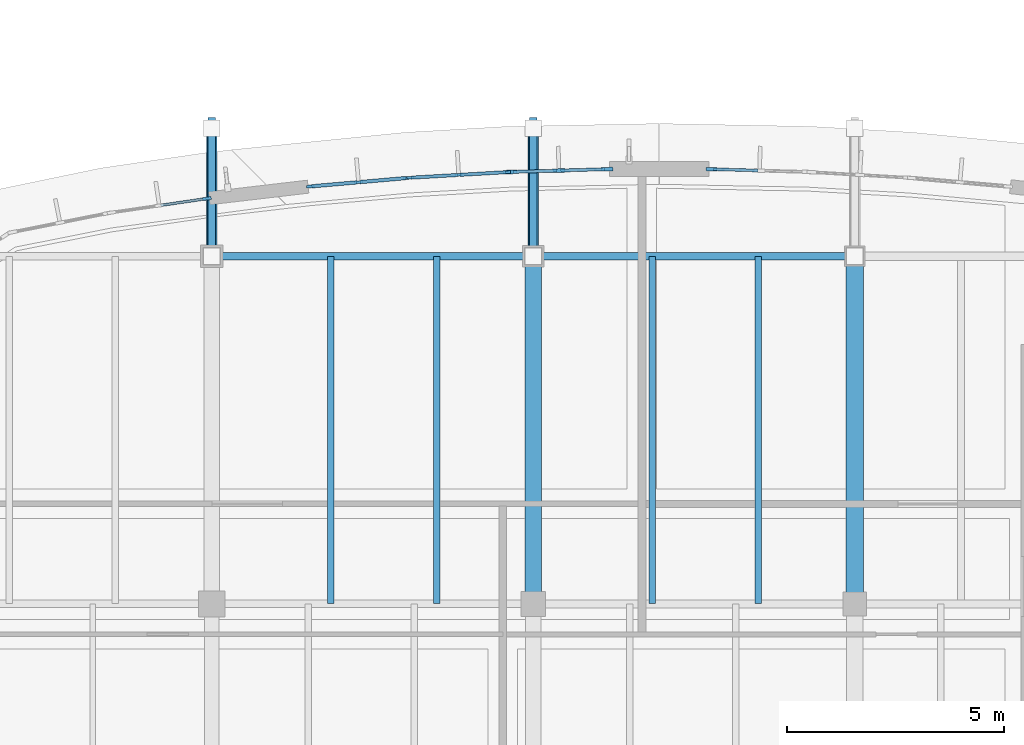
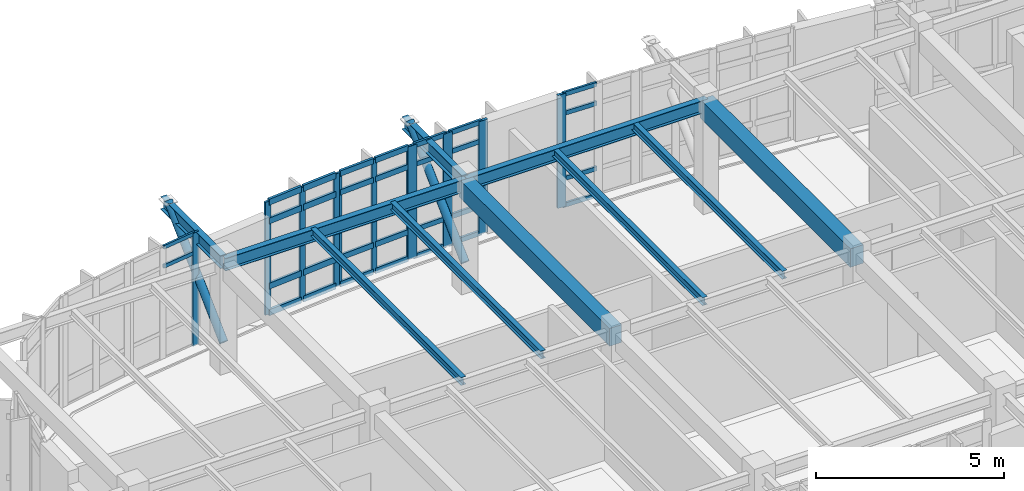
# One storey, part 25 of 105: 43 members, 10 beams, 5 elements without a shape of their own.
"""IFC4 building model written with IfcOpenShell, lengths in metres."""

from ifc_helpers import new_model, si_unit, direction, frame, origin, origin_2d, place, context, subcontext, project, spatial, rectangle, hollow_circle, i_section, extrude, material, material_profile, profile_set, type_object, element, aggregate, save


model = new_model("IFC4")

# Units and contexts
model_context = context("Model", 3, precision=1e-05, world=origin(), true_north=direction((0.0, 1.0)))
body_context = subcontext(model_context, "Body", "Model", "MODEL_VIEW")
ifc_project = project(units=[si_unit("LENGTHUNIT", "METRE"), si_unit("AREAUNIT", "SQUARE_METRE"), si_unit("VOLUMEUNIT", "CUBIC_METRE"), si_unit("PLANEANGLEUNIT", "RADIAN"), si_unit("MASSUNIT", "GRAM", prefix="KILO")], contexts=[model_context])

# Site, building, storey
site_placement = place(None, origin())
site = spatial("IfcSite", under=ifc_project, at=site_placement, CompositionType="ELEMENT")
building_placement = place(site_placement, origin())
building = spatial("IfcBuilding", under=site, at=building_placement, Name="Corveleigh Park Community Centre", CompositionType="ELEMENT")
storey_placement = place(building_placement, frame((0.0, 0.0, 8.699951171875)))
storey = spatial("IfcBuildingStorey", under=building, at=storey_placement, Name="L02", CompositionType="ELEMENT", Elevation=8.699951171875)

# Beams
ifc_material_1 = material(Name="Concrete C40/50", Category="concrete")
ifc_material_profile_1 = material_profile(ifc_material_1, rectangle(XDim=0.375, YDim=0.574951171875, at=origin_2d()), Name="RC-375x575", Category="concrete")
ifc_profile_set_1 = profile_set([ifc_material_profile_1], Name="Concrete C40/50")
beam_type_1 = type_object("IfcBeamType", Name="BM-RC-375x575", PredefinedType="BEAM", material=ifc_profile_set_1)
beam_1_placement = place(storey_placement, frame((86.800048828125, 18.804931640625, 3.324462890625), z_axis=(0.0, 1.0, 0.0), x_axis=(-1.0, 0.0, 0.0)))
element("IfcBeam", 1, at=beam_1_placement, inside=storey, type_object=beam_type_1, Name="V3 Girder Y", PredefinedType="BEAM", context=body_context, shape_type="SweptSolid", body=[
    extrude(rectangle(XDim=0.375, YDim=0.574951171875, at=origin_2d()), origin(), (0.0, 0.0, 1.0), 7.989990234375),
])
ifc_material_profile_2 = material_profile(ifc_material_1, rectangle(XDim=0.39990234375, YDim=0.60009765625, at=origin_2d()), Name="RC-400x600", Category="concrete")
ifc_profile_set_2 = profile_set([ifc_material_profile_2], Name="Concrete C40/50")
beam_type_2 = type_object("IfcBeamType", Name="BM-RC-400x600", PredefinedType="BEAM", material=ifc_profile_set_2)
beam_2_placement = place(storey_placement, frame((94.199951171875, 18.804931640625, 3.31201171875), z_axis=(0.0, 1.0, 0.0), x_axis=(-1.0, 0.0, 0.0)))
element("IfcBeam", 2, at=beam_2_placement, inside=storey, type_object=beam_type_2, Name="V3 Girder Y", PredefinedType="BEAM", context=body_context, shape_type="SweptSolid", body=[
    extrude(rectangle(XDim=0.39990234375, YDim=0.60009765625, at=origin_2d()), origin(), (0.0, 0.0, 1.0), 7.989990234375),
])
ifc_material_2 = material(Name="Steel S355", Category="steel")
ifc_material_profile_3 = material_profile(ifc_material_2, i_section(OverallWidth=0.146484375, OverallDepth=0.256103515625, WebThickness=0.00634765625, FlangeThickness=0.010986328125, at=origin_2d()), Name="UKB 254x146x37", Category="steel")
ifc_profile_set_3 = profile_set([ifc_material_profile_3], Name="Steel S355")
beam_type_3 = type_object("IfcBeamType", Name="BM-STL-UKB254x37", PredefinedType="JOIST", material=ifc_profile_set_3)
for number, where, z_axis, x_axis, name in (
    (3, (82.137939453125, 18.804931640625, 3.484130859375), (0.0, 1.0, 0.0), (-1.0, 0.0, 0.0), "Secondary floor joist"),
    (4, (84.580078125, 18.804931640625, 3.484130859375), (0.0, 1.0, 0.0), (-1.0, 0.0, 0.0), "Secondary floor joist"),
):
    element("IfcBeam", number, at=place(storey_placement, frame(where, z_axis=z_axis, x_axis=x_axis)), inside=storey, type_object=beam_type_3, Name=name, PredefinedType="JOIST", context=body_context, shape_type="SweptSolid", body=[
        extrude(i_section(OverallWidth=0.146484375, OverallDepth=0.256103515625, WebThickness=0.00634765625, FlangeThickness=0.010986328125, at=origin_2d()), origin(), (0.0, 0.0, 1.0), 7.989990234375),
    ])
ifc_material_profile_4 = material_profile(ifc_material_2, i_section(OverallWidth=0.147216796875, OverallDepth=0.259521484375, WebThickness=0.007080078125, FlangeThickness=0.0126953125, at=origin_2d()), Name="UKB 254x146x43", Category="steel")
ifc_profile_set_4 = profile_set([ifc_material_profile_4], Name="Steel S355")
beam_type_4 = type_object("IfcBeamType", Name="BM-STL-UKB254x43", PredefinedType="JOIST", material=ifc_profile_set_4)
for number, where, z_axis, x_axis, name in (
    (5, (89.5380859375, 18.804931640625, 3.482177734375), (0.0, 1.0, 0.0), (-1.0, 0.0, 0.0), "Secondary floor joist"),
    (6, (91.97998046875, 18.804931640625, 3.482177734375), (0.0, 1.0, 0.0), (-1.0, 0.0, 0.0), "Secondary floor joist"),
):
    element("IfcBeam", number, at=place(storey_placement, frame(where, z_axis=z_axis, x_axis=x_axis)), inside=storey, type_object=beam_type_4, Name=name, PredefinedType="JOIST", context=body_context, shape_type="SweptSolid", body=[
        extrude(i_section(OverallWidth=0.147216796875, OverallDepth=0.259521484375, WebThickness=0.007080078125, FlangeThickness=0.0126953125, at=origin_2d()), origin(), (0.0, 0.0, 1.0), 7.989990234375),
    ])
ifc_material_profile_5 = material_profile(ifc_material_2, i_section(OverallWidth=0.1787109375, OverallDepth=0.409423828125, WebThickness=0.0087890625, FlangeThickness=0.014404296875, at=origin_2d()), Name="UKB 406x178x67", Category="steel")
ifc_profile_set_5 = profile_set([ifc_material_profile_5], Name="Steel S355")
beam_type_5 = type_object("IfcBeamType", Name="BM-STL-UKB406x67", PredefinedType="BEAM", material=ifc_profile_set_5)
beam_3_placement = place(storey_placement, frame((79.405029296875, 26.800048828125, 3.407470703125), z_axis=(1.0, 0.0, 0.0), x_axis=(0.0, 1.0, 0.0)))
element("IfcBeam", 7, at=beam_3_placement, inside=storey, type_object=beam_type_5, Name="V3 Girder X", PredefinedType="BEAM", context=body_context, shape_type="SweptSolid", body=[
    extrude(i_section(OverallWidth=0.1787109375, OverallDepth=0.409423828125, WebThickness=0.0087890625, FlangeThickness=0.014404296875, at=origin_2d()), origin(), (0.0, 0.0, 1.0), 7.389892578125),
])
for number, where, z_axis, x_axis, name in (
    (8, (79.39990234375, 26.81005859375, 3.459228515625), (0.0, 1.0, 0.0), (-1.0, 0.0, 0.0), "V3 Pebble Overhang Strut 2-2 Outrigger"),
    (9, (86.800048828125, 26.81005859375, 3.459228515625), (0.0, 1.0, 0.0), (-1.0, 0.0, 0.0), "V3 Pebble Overhang Strut 3-2 Outrigger"),
):
    element("IfcBeam", number, at=place(storey_placement, frame(where, z_axis=z_axis, x_axis=x_axis)), inside=storey, type_object=beam_type_5, Name=name, PredefinedType="BEAM", context=body_context, shape_type="SweptSolid", body=[
        extrude(i_section(OverallWidth=0.1787109375, OverallDepth=0.409423828125, WebThickness=0.0087890625, FlangeThickness=0.014404296875, at=origin_2d()), origin(), (0.0, 0.0, 1.0), 3.18994140625),
    ])
ifc_material_profile_6 = material_profile(ifc_material_2, i_section(OverallWidth=0.179443359375, OverallDepth=0.412841796875, WebThickness=0.009521484375, FlangeThickness=0.01611328125, at=origin_2d()), Name="UKB 406x178x74", Category="steel")
ifc_profile_set_6 = profile_set([ifc_material_profile_6], Name="Steel S355")
beam_type_6 = type_object("IfcBeamType", Name="BM-STL-UKB406x74", PredefinedType="BEAM", material=ifc_profile_set_6)
beam_4_placement = place(storey_placement, frame((86.804931640625, 26.800048828125, 3.40576171875), z_axis=(1.0, 0.0, 0.0), x_axis=(0.0, 1.0, 0.0)))
element("IfcBeam", 10, at=beam_4_placement, inside=storey, type_object=beam_type_6, Name="V3 Girder X", PredefinedType="BEAM", context=body_context, shape_type="SweptSolid", body=[
    extrude(i_section(OverallWidth=0.179443359375, OverallDepth=0.412841796875, WebThickness=0.009521484375, FlangeThickness=0.01611328125, at=origin_2d()), origin(), (0.0, 0.0, 1.0), 7.39013671875),
])

# Curtain wall, members
ifc_material_3 = material(Name="Anodised aluminium 6063-T6", Category="aluminium")
curtain_wall_type = type_object("IfcCurtainWallType", Name="CW-SYS-V3-UPP", PredefinedType="NOTDEFINED", material=ifc_material_3)
curtain_wall_1_placement = place(storey_placement, origin())
curtain_wall_1 = element("IfcCurtainWall", 11, at=curtain_wall_1_placement, inside=storey, type_object=curtain_wall_type, Name="V3 L02 Curtain Wall 349", PredefinedType="NOTDEFINED")
ifc_material_profile_7 = material_profile(ifc_material_3, rectangle(XDim=0.06005859375, YDim=0.159912109375, at=origin_2d()), Name="ALU-M60x160", Category="aluminium")
ifc_profile_set_7 = profile_set([ifc_material_profile_7], Name="Anodised aluminium 6063-T6")
member_type_1 = type_object("IfcMemberType", Name="CWM-60x160", PredefinedType="MULLION", material=ifc_profile_set_7)
member_1_placement = place(storey_placement, frame((83.968994140625, 28.608642578125, 0.0), z_axis=(0.0, 0.0, 1.0), x_axis=(-0.057596535089, 0.998339941676, 0.0)))
member_1 = element("IfcMember", 12, at=member_1_placement, type_object=member_type_1, Name="CW06 mullion 1", PredefinedType="MULLION", context=body_context, shape_type="SweptSolid", body=[
    extrude(rectangle(XDim=0.06005859375, YDim=0.159912109375, at=origin_2d()), origin(), (0.0, 0.0, 1.0), 3.6640625),
])
member_2_placement = place(storey_placement, frame((85.0830078125, 28.673095703125, 0.0), z_axis=(0.0, 0.0, 1.0), x_axis=(-0.057596535089, 0.998339941676, 0.0)))
member_2 = element("IfcMember", 13, at=member_2_placement, type_object=member_type_1, Name="CW06 mullion 2", PredefinedType="MULLION", context=body_context, shape_type="SweptSolid", body=[
    extrude(rectangle(XDim=0.06005859375, YDim=0.159912109375, at=origin_2d()), origin(), (0.0, 0.0, 1.0), 3.6640625),
])
member_3_placement = place(storey_placement, frame((86.197021484375, 28.7373046875, 0.0), z_axis=(0.0, 0.0, 1.0), x_axis=(-0.057596535089, 0.998339941676, 0.0)))
member_3 = element("IfcMember", 14, at=member_3_placement, type_object=member_type_1, Name="CW06 mullion 3", PredefinedType="MULLION", context=body_context, shape_type="SweptSolid", body=[
    extrude(rectangle(XDim=0.06005859375, YDim=0.159912109375, at=origin_2d()), origin(), (0.0, 0.0, 1.0), 3.6640625),
])

curtain_wall_2_placement = place(storey_placement, origin())
curtain_wall_2 = element("IfcCurtainWall", 15, at=curtain_wall_2_placement, inside=storey, type_object=curtain_wall_type, Name="V3 L02 Curtain Wall 350", PredefinedType="NOTDEFINED")
ifc_material_profile_8 = material_profile(ifc_material_3, rectangle(XDim=0.06494140625, YDim=0.179931640625, at=origin_2d()), Name="ALU-M65x180", Category="aluminium")
ifc_profile_set_8 = profile_set([ifc_material_profile_8], Name="Anodised aluminium 6063-T6")
member_type_2 = type_object("IfcMemberType", Name="CWM-65x180", PredefinedType="MULLION", material=ifc_profile_set_8)
member_4_placement = place(storey_placement, frame((81.66943359375, 28.40771484375, 0.0), z_axis=(0.0, 0.0, 1.0), x_axis=(-0.0872318769, 0.996188034285, 0.0)))
member_4 = element("IfcMember", 16, at=member_4_placement, type_object=member_type_2, Name="CW06 mullion 1", PredefinedType="MULLION", context=body_context, shape_type="SweptSolid", body=[
    extrude(rectangle(XDim=0.06494140625, YDim=0.179931640625, at=origin_2d()), origin(), (0.0, 0.0, 1.0), 3.6640625),
])
member_5_placement = place(storey_placement, frame((82.779052734375, 28.5048828125, 0.0), z_axis=(0.0, 0.0, 1.0), x_axis=(-0.0872318769, 0.996188034285, 0.0)))
member_5 = element("IfcMember", 17, at=member_5_placement, type_object=member_type_2, Name="CW06 mullion 2", PredefinedType="MULLION", context=body_context, shape_type="SweptSolid", body=[
    extrude(rectangle(XDim=0.06494140625, YDim=0.179931640625, at=origin_2d()), origin(), (0.0, 0.0, 1.0), 3.6640625),
])
member_6_placement = place(storey_placement, frame((83.888671875, 28.60205078125, 0.0), z_axis=(0.0, 0.0, 1.0), x_axis=(-0.0872318769, 0.996188034285, 0.0)))
member_6 = element("IfcMember", 18, at=member_6_placement, type_object=member_type_2, Name="CW06 mullion 3", PredefinedType="MULLION", context=body_context, shape_type="SweptSolid", body=[
    extrude(rectangle(XDim=0.06494140625, YDim=0.179931640625, at=origin_2d()), origin(), (0.0, 0.0, 1.0), 3.6640625),
])

# Curtain wall, member
curtain_wall_3_placement = place(storey_placement, origin())
curtain_wall_3 = element("IfcCurtainWall", 19, at=curtain_wall_3_placement, inside=storey, type_object=curtain_wall_type, Name="V3 L02 Curtain Wall 351", PredefinedType="NOTDEFINED")
ifc_material_profile_9 = material_profile(ifc_material_3, rectangle(XDim=0.070068359375, YDim=0.199951171875, at=origin_2d()), Name="ALU-M70x200", Category="aluminium")
ifc_profile_set_9 = profile_set([ifc_material_profile_9], Name="Anodised aluminium 6063-T6")
member_type_3 = type_object("IfcMemberType", Name="CWM-70x200", PredefinedType="MULLION", material=ifc_profile_set_9)
member_7_placement = place(storey_placement, frame((79.290283203125, 28.12890625, 0.0), z_axis=(0.0, 0.0, 1.0), x_axis=(-0.144966003251, 0.989436636628, 0.0)))
member_7 = element("IfcMember", 20, at=member_7_placement, type_object=member_type_3, Name="CW06 mullion 3", PredefinedType="MULLION", context=body_context, shape_type="SweptSolid", body=[
    extrude(rectangle(XDim=0.070068359375, YDim=0.199951171875, at=origin_2d()), origin(), (0.0, 0.0, 1.0), 3.6640625),
])

curtain_wall_4_placement = place(storey_placement, origin())
curtain_wall_4 = element("IfcCurtainWall", 21, at=curtain_wall_4_placement, inside=storey, type_object=curtain_wall_type, Name="V3 L02 Curtain Wall 347", PredefinedType="NOTDEFINED")
ifc_material_profile_10 = material_profile(ifc_material_3, rectangle(XDim=0.080078125, YDim=0.25, at=origin_2d()), Name="ALU-M80x250", Category="aluminium")
ifc_profile_set_10 = profile_set([ifc_material_profile_10], Name="Anodised aluminium 6063-T6")
member_type_4 = type_object("IfcMemberType", Name="CWM-80x250", PredefinedType="MULLION", material=ifc_profile_set_10)
member_8_placement = place(storey_placement, frame((90.904052734375, 28.805908203125, 0.0), z_axis=(0.0, 0.0, 1.0), x_axis=(0.029232373224, 0.999572642861, 0.0)))
member_8 = element("IfcMember", 22, at=member_8_placement, type_object=member_type_4, Name="CW06 mullion 1", PredefinedType="MULLION", context=body_context, shape_type="SweptSolid", body=[
    extrude(rectangle(XDim=0.080078125, YDim=0.25, at=origin_2d()), origin(), (0.0, 0.0, 1.0), 3.6640625),
])

# Curtain wall, members
curtain_wall_5_placement = place(storey_placement, origin())
curtain_wall_5 = element("IfcCurtainWall", 23, at=curtain_wall_5_placement, inside=storey, type_object=curtain_wall_type, Name="V3 L02 Curtain Wall 348", PredefinedType="NOTDEFINED")
ifc_material_profile_11 = material_profile(ifc_material_3, rectangle(XDim=0.0849609375, YDim=0.27490234375, at=origin_2d()), Name="ALU-M85x275", Category="aluminium")
ifc_profile_set_11 = profile_set([ifc_material_profile_11], Name="Anodised aluminium 6063-T6")
member_type_5 = type_object("IfcMemberType", Name="CWM-85x275", PredefinedType="MULLION", material=ifc_profile_set_11)
member_9_placement = place(storey_placement, frame((86.28759765625, 28.7412109375, 0.0), z_axis=(0.0, 0.0, 1.0), x_axis=(-0.029232373224, 0.999572642861, 0.0)))
member_9 = element("IfcMember", 24, at=member_9_placement, type_object=member_type_5, Name="CW06 mullion 1", PredefinedType="MULLION", context=body_context, shape_type="SweptSolid", body=[
    extrude(rectangle(XDim=0.0849609375, YDim=0.27490234375, at=origin_2d()), origin(), (0.0, 0.0, 1.0), 3.6640625),
])
member_10_placement = place(storey_placement, frame((87.390380859375, 28.7734375, 0.0), z_axis=(0.0, 0.0, 1.0), x_axis=(-0.029232373224, 0.999572642861, 0.0)))
member_10 = element("IfcMember", 25, at=member_10_placement, type_object=member_type_5, Name="CW06 mullion 2", PredefinedType="MULLION", context=body_context, shape_type="SweptSolid", body=[
    extrude(rectangle(XDim=0.0849609375, YDim=0.27490234375, at=origin_2d()), origin(), (0.0, 0.0, 1.0), 3.6640625),
])
member_11_placement = place(storey_placement, frame((88.493408203125, 28.8056640625, 0.0), z_axis=(0.0, 0.0, 1.0), x_axis=(-0.029232373224, 0.999572642861, 0.0)))
member_11 = element("IfcMember", 26, at=member_11_placement, type_object=member_type_5, Name="CW06 mullion 3", PredefinedType="MULLION", context=body_context, shape_type="SweptSolid", body=[
    extrude(rectangle(XDim=0.0849609375, YDim=0.27490234375, at=origin_2d()), origin(), (0.0, 0.0, 1.0), 3.6640625),
])

# Member
ifc_material_profile_12 = material_profile(ifc_material_3, rectangle(XDim=0.06005859375, YDim=0.1201171875, at=origin_2d()), Name="ALU-T60x120", Category="aluminium")
ifc_profile_set_12 = profile_set([ifc_material_profile_12], Name="Anodised aluminium 6063-T6")
member_type_6 = type_object("IfcMemberType", Name="CWT-60x120", PredefinedType="USERDEFINED", material=ifc_profile_set_12)
member_12_placement = place(storey_placement, frame((78.2265625, 27.97314453125, 3.01416015625), z_axis=(0.989460243996, 0.144804784285, 0.0), x_axis=(-0.144804784285, 0.989460243996, 0.0)))
member_12 = element("IfcMember", 27, at=member_12_placement, type_object=member_type_6, Name="CW06 transom 2.3", ObjectType="TRANSOM", PredefinedType="USERDEFINED", context=body_context, shape_type="SweptSolid", body=[
    extrude(rectangle(XDim=0.06005859375, YDim=0.1201171875, at=origin_2d()), origin(), (0.0, 0.0, 1.0), 1.040283203125),
])

member_13_placement = place(storey_placement, frame((78.2265625, 27.97314453125, 3.634033203125), z_axis=(0.989460243996, 0.144804784285, 0.0), x_axis=(-0.144804784285, 0.989460243996, 0.0)))
member_13 = element("IfcMember", 28, at=member_13_placement, type_object=member_type_6, Name="CW06 transom 2.4", ObjectType="TRANSOM", PredefinedType="USERDEFINED", context=body_context, shape_type="SweptSolid", body=[
    extrude(rectangle(XDim=0.06005859375, YDim=0.1201171875, at=origin_2d()), origin(), (0.0, 0.0, 1.0), 1.040283203125),
])

aggregate(curtain_wall_3, [member_7, member_12, member_13])

ifc_material_profile_13 = material_profile(ifc_material_3, rectangle(XDim=0.06494140625, YDim=0.139892578125, at=origin_2d()), Name="ALU-T65x140", Category="aluminium")
ifc_profile_set_13 = profile_set([ifc_material_profile_13], Name="Anodised aluminium 6063-T6")
member_type_7 = type_object("IfcMemberType", Name="CWT-65x140", PredefinedType="USERDEFINED", material=ifc_profile_set_13)
member_14_placement = place(storey_placement, frame((90.94384765625, 28.8046875, 0.032470703125), z_axis=(0.999571652979, -0.029266201694, 0.0), x_axis=(0.029266201694, 0.999571652979, 0.0)))
member_14 = element("IfcMember", 29, at=member_14_placement, type_object=member_type_7, Name="CW06 transom 1.1", ObjectType="TRANSOM", PredefinedType="USERDEFINED", context=body_context, shape_type="SweptSolid", body=[
    extrude(rectangle(XDim=0.06494140625, YDim=0.139892578125, at=origin_2d()), origin(), (0.0, 0.0, 1.0), 1.026123046875),
])

member_15_placement = place(storey_placement, frame((90.94384765625, 28.8046875, 0.900146484375), z_axis=(0.999571652979, -0.029266201694, 0.0), x_axis=(0.029266201694, 0.999571652979, 0.0)))
member_15 = element("IfcMember", 30, at=member_15_placement, type_object=member_type_7, Name="CW06 transom 1.2", ObjectType="TRANSOM", PredefinedType="USERDEFINED", context=body_context, shape_type="SweptSolid", body=[
    extrude(rectangle(XDim=0.06494140625, YDim=0.139892578125, at=origin_2d()), origin(), (0.0, 0.0, 1.0), 1.026123046875),
])

member_16_placement = place(storey_placement, frame((90.94384765625, 28.8046875, 3.01416015625), z_axis=(0.999571652979, -0.029266201694, 0.0), x_axis=(0.029266201694, 0.999571652979, 0.0)))
member_16 = element("IfcMember", 31, at=member_16_placement, type_object=member_type_7, Name="CW06 transom 1.3", ObjectType="TRANSOM", PredefinedType="USERDEFINED", context=body_context, shape_type="SweptSolid", body=[
    extrude(rectangle(XDim=0.06494140625, YDim=0.139892578125, at=origin_2d()), origin(), (0.0, 0.0, 1.0), 1.026123046875),
])

member_17_placement = place(storey_placement, frame((90.94384765625, 28.8046875, 3.631591796875), z_axis=(0.999571652979, -0.029266201694, 0.0), x_axis=(0.029266201694, 0.999571652979, 0.0)))
member_17 = element("IfcMember", 32, at=member_17_placement, type_object=member_type_7, Name="CW06 transom 1.4", ObjectType="TRANSOM", PredefinedType="USERDEFINED", context=body_context, shape_type="SweptSolid", body=[
    extrude(rectangle(XDim=0.06494140625, YDim=0.139892578125, at=origin_2d()), origin(), (0.0, 0.0, 1.0), 1.026123046875),
])

aggregate(curtain_wall_4, [member_8, member_14, member_15, member_16, member_17])

ifc_material_profile_14 = material_profile(ifc_material_3, rectangle(XDim=0.070068359375, YDim=0.155029296875, at=origin_2d()), Name="ALU-T70x155", Category="aluminium")
ifc_profile_set_14 = profile_set([ifc_material_profile_14], Name="Anodised aluminium 6063-T6")
member_type_8 = type_object("IfcMemberType", Name="CWT-70x155", PredefinedType="USERDEFINED", material=ifc_profile_set_14)
member_18_placement = place(storey_placement, frame((86.330078125, 28.742431640625, 0.03515625), z_axis=(0.999572095306, 0.02925109034, 0.0), x_axis=(-0.02925109034, 0.999572095306, 0.0)))
member_18 = element("IfcMember", 33, at=member_18_placement, type_object=member_type_8, Name="CW06 transom 1.1", ObjectType="TRANSOM", PredefinedType="USERDEFINED", context=body_context, shape_type="SweptSolid", body=[
    extrude(rectangle(XDim=0.070068359375, YDim=0.155029296875, at=origin_2d()), origin(), (0.0, 0.0, 1.0), 1.018310546875),
])

member_19_placement = place(storey_placement, frame((86.330078125, 28.742431640625, 0.900146484375), z_axis=(0.999572095306, 0.02925109034, 0.0), x_axis=(-0.02925109034, 0.999572095306, 0.0)))
member_19 = element("IfcMember", 34, at=member_19_placement, type_object=member_type_8, Name="CW06 transom 1.2", ObjectType="TRANSOM", PredefinedType="USERDEFINED", context=body_context, shape_type="SweptSolid", body=[
    extrude(rectangle(XDim=0.070068359375, YDim=0.155029296875, at=origin_2d()), origin(), (0.0, 0.0, 1.0), 1.018310546875),
])

member_20_placement = place(storey_placement, frame((86.330078125, 28.742431640625, 3.01416015625), z_axis=(0.999572095306, 0.02925109034, 0.0), x_axis=(-0.02925109034, 0.999572095306, 0.0)))
member_20 = element("IfcMember", 35, at=member_20_placement, type_object=member_type_8, Name="CW06 transom 1.3", ObjectType="TRANSOM", PredefinedType="USERDEFINED", context=body_context, shape_type="SweptSolid", body=[
    extrude(rectangle(XDim=0.070068359375, YDim=0.155029296875, at=origin_2d()), origin(), (0.0, 0.0, 1.0), 1.018310546875),
])

member_21_placement = place(storey_placement, frame((86.330078125, 28.742431640625, 3.629150390625), z_axis=(0.999572095306, 0.02925109034, 0.0), x_axis=(-0.02925109034, 0.999572095306, 0.0)))
member_21 = element("IfcMember", 36, at=member_21_placement, type_object=member_type_8, Name="CW06 transom 1.4", ObjectType="TRANSOM", PredefinedType="USERDEFINED", context=body_context, shape_type="SweptSolid", body=[
    extrude(rectangle(XDim=0.070068359375, YDim=0.155029296875, at=origin_2d()), origin(), (0.0, 0.0, 1.0), 1.018310546875),
])

member_22_placement = place(storey_placement, frame((87.432861328125, 28.774658203125, 0.03515625), z_axis=(0.99957230038, 0.02924408169, 0.0), x_axis=(-0.02924408169, 0.99957230038, 0.0)))
member_22 = element("IfcMember", 37, at=member_22_placement, type_object=member_type_8, Name="CW06 transom 2.1", ObjectType="TRANSOM", PredefinedType="USERDEFINED", context=body_context, shape_type="SweptSolid", body=[
    extrude(rectangle(XDim=0.070068359375, YDim=0.155029296875, at=origin_2d()), origin(), (0.0, 0.0, 1.0), 1.0185546875),
])

member_23_placement = place(storey_placement, frame((87.432861328125, 28.774658203125, 0.900146484375), z_axis=(0.99957230038, 0.02924408169, 0.0), x_axis=(-0.02924408169, 0.99957230038, 0.0)))
member_23 = element("IfcMember", 38, at=member_23_placement, type_object=member_type_8, Name="CW06 transom 2.2", ObjectType="TRANSOM", PredefinedType="USERDEFINED", context=body_context, shape_type="SweptSolid", body=[
    extrude(rectangle(XDim=0.070068359375, YDim=0.155029296875, at=origin_2d()), origin(), (0.0, 0.0, 1.0), 1.0185546875),
])

member_24_placement = place(storey_placement, frame((87.432861328125, 28.774658203125, 3.01416015625), z_axis=(0.99957230038, 0.02924408169, 0.0), x_axis=(-0.02924408169, 0.99957230038, 0.0)))
member_24 = element("IfcMember", 39, at=member_24_placement, type_object=member_type_8, Name="CW06 transom 2.3", ObjectType="TRANSOM", PredefinedType="USERDEFINED", context=body_context, shape_type="SweptSolid", body=[
    extrude(rectangle(XDim=0.070068359375, YDim=0.155029296875, at=origin_2d()), origin(), (0.0, 0.0, 1.0), 1.0185546875),
])

member_25_placement = place(storey_placement, frame((87.432861328125, 28.774658203125, 3.629150390625), z_axis=(0.99957230038, 0.02924408169, 0.0), x_axis=(-0.02924408169, 0.99957230038, 0.0)))
member_25 = element("IfcMember", 40, at=member_25_placement, type_object=member_type_8, Name="CW06 transom 2.4", ObjectType="TRANSOM", PredefinedType="USERDEFINED", context=body_context, shape_type="SweptSolid", body=[
    extrude(rectangle(XDim=0.070068359375, YDim=0.155029296875, at=origin_2d()), origin(), (0.0, 0.0, 1.0), 1.0185546875),
])

aggregate(curtain_wall_5, [member_9, member_10, member_11, member_18, member_19, member_20, member_21, member_22, member_23, member_24, member_25])

ifc_material_profile_15 = material_profile(ifc_material_3, rectangle(XDim=0.074951171875, YDim=0.175048828125, at=origin_2d()), Name="ALU-T75x175", Category="aluminium")
ifc_profile_set_15 = profile_set([ifc_material_profile_15], Name="Anodised aluminium 6063-T6")
member_type_9 = type_object("IfcMemberType", Name="CWT-75x175", PredefinedType="USERDEFINED", material=ifc_profile_set_15)
member_26_placement = place(storey_placement, frame((83.998779296875, 28.6103515625, 0.03759765625), z_axis=(0.998328160522, 0.057800379836, 0.0), x_axis=(-0.057800379836, 0.998328160522, 0.0)))
member_26 = element("IfcMember", 41, at=member_26_placement, type_object=member_type_9, Name="CW06 transom 1.1", ObjectType="TRANSOM", PredefinedType="USERDEFINED", context=body_context, shape_type="SweptSolid", body=[
    extrude(rectangle(XDim=0.074951171875, YDim=0.175048828125, at=origin_2d()), origin(), (0.0, 0.0, 1.0), 1.055908203125),
])

member_27_placement = place(storey_placement, frame((83.998779296875, 28.6103515625, 0.900146484375), z_axis=(0.998328160522, 0.057800379836, 0.0), x_axis=(-0.057800379836, 0.998328160522, 0.0)))
member_27 = element("IfcMember", 42, at=member_27_placement, type_object=member_type_9, Name="CW06 transom 1.2", ObjectType="TRANSOM", PredefinedType="USERDEFINED", context=body_context, shape_type="SweptSolid", body=[
    extrude(rectangle(XDim=0.074951171875, YDim=0.175048828125, at=origin_2d()), origin(), (0.0, 0.0, 1.0), 1.055908203125),
])

member_28_placement = place(storey_placement, frame((83.998779296875, 28.6103515625, 3.01416015625), z_axis=(0.998328160522, 0.057800379836, 0.0), x_axis=(-0.057800379836, 0.998328160522, 0.0)))
member_28 = element("IfcMember", 43, at=member_28_placement, type_object=member_type_9, Name="CW06 transom 1.3", ObjectType="TRANSOM", PredefinedType="USERDEFINED", context=body_context, shape_type="SweptSolid", body=[
    extrude(rectangle(XDim=0.074951171875, YDim=0.175048828125, at=origin_2d()), origin(), (0.0, 0.0, 1.0), 1.055908203125),
])

member_29_placement = place(storey_placement, frame((83.998779296875, 28.6103515625, 3.62646484375), z_axis=(0.998328160522, 0.057800379836, 0.0), x_axis=(-0.057800379836, 0.998328160522, 0.0)))
member_29 = element("IfcMember", 44, at=member_29_placement, type_object=member_type_9, Name="CW06 transom 1.4", ObjectType="TRANSOM", PredefinedType="USERDEFINED", context=body_context, shape_type="SweptSolid", body=[
    extrude(rectangle(XDim=0.074951171875, YDim=0.175048828125, at=origin_2d()), origin(), (0.0, 0.0, 1.0), 1.055908203125),
])

member_30_placement = place(storey_placement, frame((85.113037109375, 28.6748046875, 0.03759765625), z_axis=(0.998340708753, 0.057583237544, 0.0), x_axis=(-0.057583237544, 0.998340708753, 0.0)))
member_30 = element("IfcMember", 45, at=member_30_placement, type_object=member_type_9, Name="CW06 transom 2.1", ObjectType="TRANSOM", PredefinedType="USERDEFINED", context=body_context, shape_type="SweptSolid", body=[
    extrude(rectangle(XDim=0.074951171875, YDim=0.175048828125, at=origin_2d()), origin(), (0.0, 0.0, 1.0), 1.0556640625),
])

member_31_placement = place(storey_placement, frame((85.113037109375, 28.6748046875, 0.900146484375), z_axis=(0.998340708753, 0.057583237544, 0.0), x_axis=(-0.057583237544, 0.998340708753, 0.0)))
member_31 = element("IfcMember", 46, at=member_31_placement, type_object=member_type_9, Name="CW06 transom 2.2", ObjectType="TRANSOM", PredefinedType="USERDEFINED", context=body_context, shape_type="SweptSolid", body=[
    extrude(rectangle(XDim=0.074951171875, YDim=0.175048828125, at=origin_2d()), origin(), (0.0, 0.0, 1.0), 1.0556640625),
])

member_32_placement = place(storey_placement, frame((85.113037109375, 28.6748046875, 3.01416015625), z_axis=(0.998340708753, 0.057583237544, 0.0), x_axis=(-0.057583237544, 0.998340708753, 0.0)))
member_32 = element("IfcMember", 47, at=member_32_placement, type_object=member_type_9, Name="CW06 transom 2.3", ObjectType="TRANSOM", PredefinedType="USERDEFINED", context=body_context, shape_type="SweptSolid", body=[
    extrude(rectangle(XDim=0.074951171875, YDim=0.175048828125, at=origin_2d()), origin(), (0.0, 0.0, 1.0), 1.0556640625),
])

member_33_placement = place(storey_placement, frame((85.113037109375, 28.6748046875, 3.62646484375), z_axis=(0.998340708753, 0.057583237544, 0.0), x_axis=(-0.057583237544, 0.998340708753, 0.0)))
member_33 = element("IfcMember", 48, at=member_33_placement, type_object=member_type_9, Name="CW06 transom 2.4", ObjectType="TRANSOM", PredefinedType="USERDEFINED", context=body_context, shape_type="SweptSolid", body=[
    extrude(rectangle(XDim=0.074951171875, YDim=0.175048828125, at=origin_2d()), origin(), (0.0, 0.0, 1.0), 1.0556640625),
])

aggregate(curtain_wall_1, [member_1, member_2, member_3, member_26, member_27, member_28, member_29, member_30, member_31, member_32, member_33])

ifc_material_profile_16 = material_profile(ifc_material_3, rectangle(XDim=0.080078125, YDim=0.195068359375, at=origin_2d()), Name="ALU-T80x195", Category="aluminium")
ifc_profile_set_16 = profile_set([ifc_material_profile_16], Name="Anodised aluminium 6063-T6")
member_type_10 = type_object("IfcMemberType", Name="CWT-80x195", PredefinedType="USERDEFINED", material=ifc_profile_set_16)
member_34_placement = place(storey_placement, frame((81.70166015625, 28.41064453125, 0.0400390625), z_axis=(0.996183605221, 0.087282442046, 0.0), x_axis=(-0.087282442046, 0.996183605221, 0.0)))
member_34 = element("IfcMember", 49, at=member_34_placement, type_object=member_type_10, Name="CW06 transom 1.1", ObjectType="TRANSOM", PredefinedType="USERDEFINED", context=body_context, shape_type="SweptSolid", body=[
    extrude(rectangle(XDim=0.080078125, YDim=0.195068359375, at=origin_2d()), origin(), (0.0, 0.0, 1.0), 1.048828125),
])

member_35_placement = place(storey_placement, frame((81.70166015625, 28.41064453125, 0.900146484375), z_axis=(0.996183605221, 0.087282442046, 0.0), x_axis=(-0.087282442046, 0.996183605221, 0.0)))
member_35 = element("IfcMember", 50, at=member_35_placement, type_object=member_type_10, Name="CW06 transom 1.2", ObjectType="TRANSOM", PredefinedType="USERDEFINED", context=body_context, shape_type="SweptSolid", body=[
    extrude(rectangle(XDim=0.080078125, YDim=0.195068359375, at=origin_2d()), origin(), (0.0, 0.0, 1.0), 1.048828125),
])

member_36_placement = place(storey_placement, frame((81.70166015625, 28.41064453125, 3.01416015625), z_axis=(0.996183605221, 0.087282442046, 0.0), x_axis=(-0.087282442046, 0.996183605221, 0.0)))
member_36 = element("IfcMember", 51, at=member_36_placement, type_object=member_type_10, Name="CW06 transom 1.3", ObjectType="TRANSOM", PredefinedType="USERDEFINED", context=body_context, shape_type="SweptSolid", body=[
    extrude(rectangle(XDim=0.080078125, YDim=0.195068359375, at=origin_2d()), origin(), (0.0, 0.0, 1.0), 1.048828125),
])

member_37_placement = place(storey_placement, frame((81.70166015625, 28.41064453125, 3.6240234375), z_axis=(0.996183605221, 0.087282442046, 0.0), x_axis=(-0.087282442046, 0.996183605221, 0.0)))
member_37 = element("IfcMember", 52, at=member_37_placement, type_object=member_type_10, Name="CW06 transom 1.4", ObjectType="TRANSOM", PredefinedType="USERDEFINED", context=body_context, shape_type="SweptSolid", body=[
    extrude(rectangle(XDim=0.080078125, YDim=0.195068359375, at=origin_2d()), origin(), (0.0, 0.0, 1.0), 1.048828125),
])

member_38_placement = place(storey_placement, frame((82.811279296875, 28.5078125, 0.0400390625), z_axis=(0.996183605221, 0.087282442046, 0.0), x_axis=(-0.087282442046, 0.996183605221, 0.0)))
member_38 = element("IfcMember", 53, at=member_38_placement, type_object=member_type_10, Name="CW06 transom 2.1", ObjectType="TRANSOM", PredefinedType="USERDEFINED", context=body_context, shape_type="SweptSolid", body=[
    extrude(rectangle(XDim=0.080078125, YDim=0.195068359375, at=origin_2d()), origin(), (0.0, 0.0, 1.0), 1.048828125),
])

member_39_placement = place(storey_placement, frame((82.811279296875, 28.5078125, 0.900146484375), z_axis=(0.996183605221, 0.087282442046, 0.0), x_axis=(-0.087282442046, 0.996183605221, 0.0)))
member_39 = element("IfcMember", 54, at=member_39_placement, type_object=member_type_10, Name="CW06 transom 2.2", ObjectType="TRANSOM", PredefinedType="USERDEFINED", context=body_context, shape_type="SweptSolid", body=[
    extrude(rectangle(XDim=0.080078125, YDim=0.195068359375, at=origin_2d()), origin(), (0.0, 0.0, 1.0), 1.048828125),
])

member_40_placement = place(storey_placement, frame((82.811279296875, 28.5078125, 3.01416015625), z_axis=(0.996183605221, 0.087282442046, 0.0), x_axis=(-0.087282442046, 0.996183605221, 0.0)))
member_40 = element("IfcMember", 55, at=member_40_placement, type_object=member_type_10, Name="CW06 transom 2.3", ObjectType="TRANSOM", PredefinedType="USERDEFINED", context=body_context, shape_type="SweptSolid", body=[
    extrude(rectangle(XDim=0.080078125, YDim=0.195068359375, at=origin_2d()), origin(), (0.0, 0.0, 1.0), 1.048828125),
])

member_41_placement = place(storey_placement, frame((82.811279296875, 28.5078125, 3.6240234375), z_axis=(0.996183605221, 0.087282442046, 0.0), x_axis=(-0.087282442046, 0.996183605221, 0.0)))
member_41 = element("IfcMember", 56, at=member_41_placement, type_object=member_type_10, Name="CW06 transom 2.4", ObjectType="TRANSOM", PredefinedType="USERDEFINED", context=body_context, shape_type="SweptSolid", body=[
    extrude(rectangle(XDim=0.080078125, YDim=0.195068359375, at=origin_2d()), origin(), (0.0, 0.0, 1.0), 1.048828125),
])

aggregate(curtain_wall_2, [member_4, member_5, member_6, member_34, member_35, member_36, member_37, member_38, member_39, member_40, member_41])

# Members
ifc_material_profile_17 = material_profile(ifc_material_2, hollow_circle(Radius=0.122314453125, WallThickness=0.012451171875, at=origin_2d()), Name="CHS 244.5x12.5", Category="steel")
ifc_profile_set_17 = profile_set([ifc_material_profile_17], Name="Steel S355")
member_type_11 = type_object("IfcMemberType", Name="MEM-STR-CHS245", PredefinedType="STRUT", material=ifc_profile_set_17)
for number, where, z_axis, x_axis, name in (
    (57, (79.39990234375, 26.800048828125, 0.85009765625), (0.0, 0.723742424905, 0.690070215553), (-1.0, 0.0, 0.0), "V3 Pebble Overhang Strut 2-2"),
    (58, (86.800048828125, 26.800048828125, 0.85009765625), (0.0, 0.723742424905, 0.690070215553), (-1.0, 0.0, 0.0), "V3 Pebble Overhang Strut 3-2"),
):
    element("IfcMember", number, at=place(storey_placement, frame(where, z_axis=z_axis, x_axis=x_axis)), inside=storey, type_object=member_type_11, Name=name, PredefinedType="STRUT", context=body_context, shape_type="SweptSolid", body=[
        extrude(hollow_circle(Radius=0.122314453125, WallThickness=0.012451171875, at=origin_2d()), origin(), (0.0, 0.0, 1.0), 4.067626953125),
    ])

save(model, "model.ifc")
